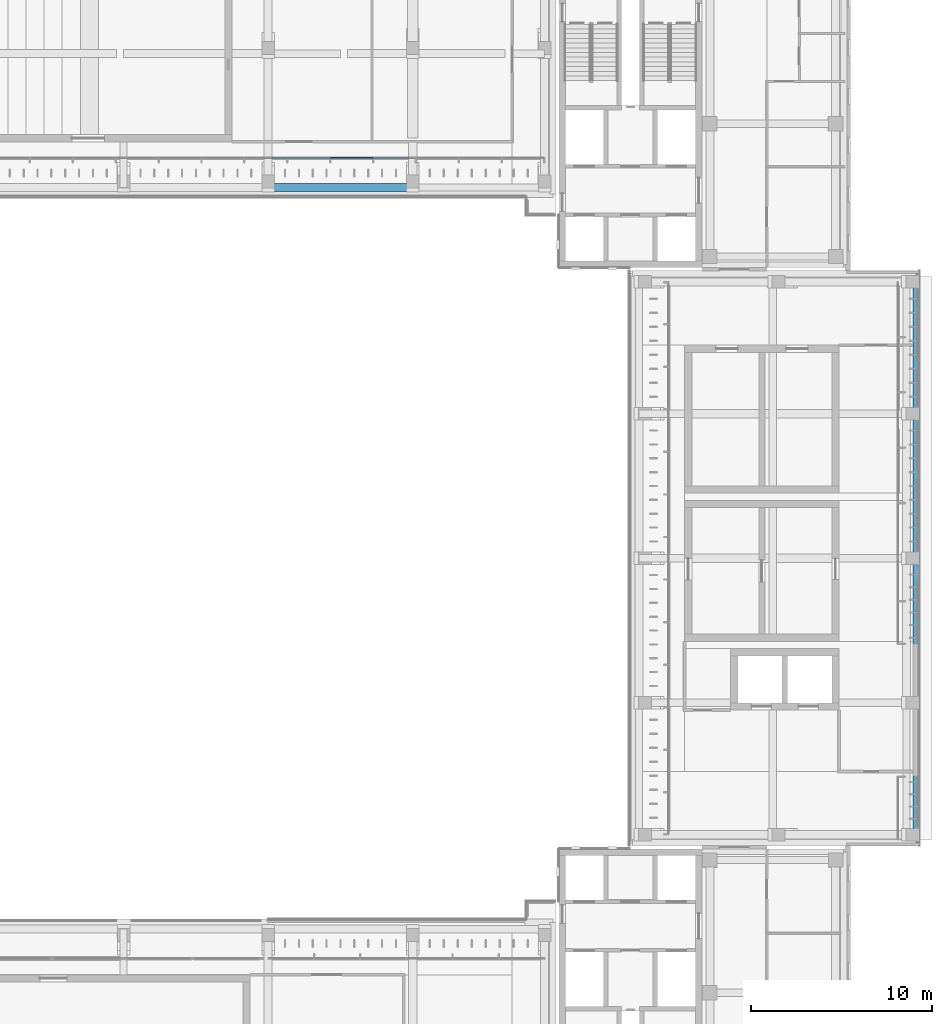
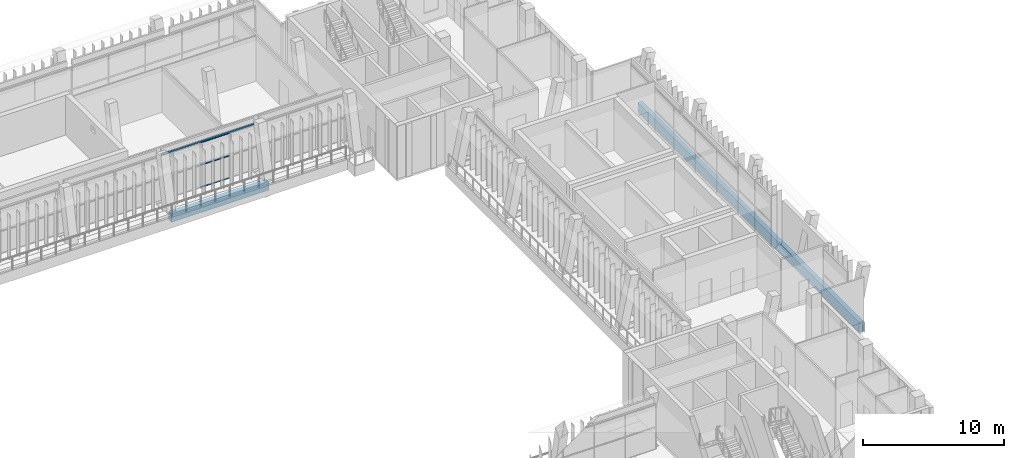
# One storey, part 33 of 74: 3 beams, 3 members, 1 element without a shape of its own.
"""IFC4 building model written with IfcOpenShell, lengths in metres."""

import ifcopenshell
import ifcopenshell.guid

model = None  # the IFC model being written
_history = None  # IfcOwnerHistory: only IFC2X3 demands one
_inside = {}  # id of a spatial element -> (the spatial element, [elements in it])
_under = {}  # id of a project, library or spatial element -> (it, [spatial elements below it])
_declared = {}  # id of a project -> (the project, [libraries it declares])
_typed = {}  # id of a type object -> (the type object, [elements of that type])
_made_of = {}  # id of a material, layer set ... -> (it, [elements and type objects made of it])


def new_model(schema):
    """Start an empty IFC model of exactly this schema.

    Asked for "IFC4X3", IfcOpenShell would pick the latest addendum, in which some entities
    have other attributes; the version numbers below select the first issue.
    IFC2X3 requires an IfcOwnerHistory on every rooted entity: one is made here for all.
    """
    global model, _history
    if schema == "IFC4X3":
        model = ifcopenshell.file(schema_version=(4, 3, 0, 0))
    else:
        model = ifcopenshell.file(schema=schema)
    _inside.clear()
    _under.clear()
    _declared.clear()
    _typed.clear()
    _made_of.clear()
    _history = None
    if model.schema == "IFC2X3":
        org = make("IfcOrganization", Name="unknown")
        user = make(
            "IfcPersonAndOrganization",
            ThePerson=make("IfcPerson", FamilyName="unknown"),
            TheOrganization=org,
        )
        app = make(
            "IfcApplication",
            ApplicationDeveloper=org,
            Version="unknown",
            ApplicationFullName="unknown",
            ApplicationIdentifier="unknown",
        )
        _history = make(
            "IfcOwnerHistory",
            OwningUser=user,
            OwningApplication=app,
            ChangeAction="ADDED",
            CreationDate=0,
        )
    return model


def make(cls, **values):
    """One entity of the class cls with the attributes given. An attribute that is None is left unset."""
    return model.create_entity(
        cls, **{name: value for name, value in values.items() if value is not None}
    )


def rooted(cls, **values):
    """An entity with a GlobalId (a new one), such as an element, a storey or a relation."""
    return make(cls, GlobalId=ifcopenshell.guid.new(), OwnerHistory=_history, **values)


def si_unit(unit_type, name, prefix=None):
    """IfcSIUnit, for example si_unit("LENGTHUNIT", "METRE", prefix="MILLI")."""
    return make("IfcSIUnit", UnitType=unit_type, Prefix=prefix, Name=name)


def assignment(units):
    """IfcUnitAssignment: the units of a project."""
    return None if units is None else make("IfcUnitAssignment", Units=units)


def point(xyz):
    """IfcCartesianPoint."""
    return None if xyz is None else make("IfcCartesianPoint", Coordinates=xyz)


def direction(xyz):
    """IfcDirection."""
    return None if xyz is None else make("IfcDirection", DirectionRatios=xyz)


def frame(location, z_axis=None, x_axis=None):
    """IfcAxis2Placement3D, a coordinate frame: its origin and axes. An axis left out is left unset."""
    return make(
        "IfcAxis2Placement3D",
        Location=point(location),
        Axis=direction(z_axis),
        RefDirection=direction(x_axis),
    )


def frame_2d(location, x_axis=None):
    """IfcAxis2Placement2D, a coordinate frame in the plane: its origin and x axis."""
    return make(
        "IfcAxis2Placement2D", Location=point(location), RefDirection=direction(x_axis)
    )


def origin():
    """The frame at (0, 0, 0) with its axes left unset."""
    return frame((0.0, 0.0, 0.0))


def origin_2d():
    """The frame at (0, 0) in the plane with its x axis left unset."""
    return frame_2d((0.0, 0.0))


def place(relative_to, where):
    """IfcLocalPlacement: puts the frame where relative to a parent placement (None: the world)."""
    return make(
        "IfcLocalPlacement", PlacementRelTo=relative_to, RelativePlacement=where
    )


def context(
    kind, dimensions, precision=None, world=None, true_north=None, identifier=None
):
    """IfcGeometricRepresentationContext, for example the 3D "Model" context."""
    return make(
        "IfcGeometricRepresentationContext",
        ContextIdentifier=identifier,
        ContextType=kind,
        CoordinateSpaceDimension=dimensions,
        Precision=precision,
        WorldCoordinateSystem=world,
        TrueNorth=true_north,
    )


def subcontext(parent, identifier, kind, view, scale=None):
    """IfcGeometricRepresentationSubContext, for example "Body" below "Model"."""
    return make(
        "IfcGeometricRepresentationSubContext",
        ContextIdentifier=identifier,
        ContextType=kind,
        ParentContext=parent,
        TargetScale=scale,
        TargetView=view,
    )


def project(units=None, contexts=None):
    """IfcProject with its units and contexts."""
    return rooted(
        "IfcProject",
        Name="project",
        RepresentationContexts=contexts,
        UnitsInContext=assignment(units),
    )


def spatial(cls, under=None, at=None, **own):
    """A site, building, storey or space (cls), placed at a placement, below another one or the project."""
    s = rooted(cls, ObjectPlacement=at, **own)
    if under is not None:
        _under.setdefault(under.id(), (under, []))[1].append(s)
    return s


def profile(cls, at=None, kind="AREA", **sizes):
    """A parametric profile (cls). Its sizes go by their IFC names, for example OverallWidth=200.0."""
    return make(cls, ProfileType=kind, Position=at, **sizes)


def rectangle(**sizes):
    """IfcRectangleProfileDef."""
    return profile("IfcRectangleProfileDef", **sizes)


def hollow_rectangle(**sizes):
    """IfcRectangleHollowProfileDef."""
    return profile("IfcRectangleHollowProfileDef", **sizes)


def extrude(swept, where, along, depth):
    """IfcExtrudedAreaSolid: the profile swept, set in the frame where, extruded along a direction by depth."""
    return make(
        "IfcExtrudedAreaSolid",
        SweptArea=swept,
        Position=where,
        ExtrudedDirection=direction(along),
        Depth=depth,
    )


def shape(context_of_items, identifier, shape_type, items):
    """IfcShapeRepresentation: the items that make up one representation, for example the "Body"."""
    return make(
        "IfcShapeRepresentation",
        ContextOfItems=context_of_items,
        RepresentationIdentifier=identifier,
        RepresentationType=shape_type,
        Items=items,
    )


def material(Name=None, Category=None):
    """IfcMaterial."""
    return make("IfcMaterial", Name=Name, Category=Category)


def material_profile(
    of_material, cross_section, Name=None, Category=None, Priority=None
):
    """IfcMaterialProfile: a cross section and its material."""
    return make(
        "IfcMaterialProfile",
        Name=Name,
        Material=of_material,
        Profile=cross_section,
        Priority=Priority,
        Category=Category,
    )


def profile_set(profiles, Name=None, composite=None):
    """IfcMaterialProfileSet."""
    return make(
        "IfcMaterialProfileSet",
        Name=Name,
        MaterialProfiles=profiles,
        CompositeProfile=composite,
    )


def made_of(thing, what):
    """Note that an element or type object is made of a material, layer set ...; save() writes the relation."""
    if what is not None:
        _made_of.setdefault(what.id(), (what, []))[1].append(thing)
    return thing


def type_object(cls, material=None, **own):
    """A type object (cls), such as IfcWallType, which elements share."""
    return made_of(rooted(cls, **own), material)


def element(
    cls,
    number,
    at=None,
    inside=None,
    cuts=None,
    type_object=None,
    material=None,
    context=None,
    identifier="Body",
    shape_type=None,
    held_by="IfcProductDefinitionShape",
    body=None,
    shapes=None,
    **own,
):
    """One element of the class cls, such as IfcWall. Its Tag is "e" and its number.

    at: its placement. inside: the storey or other place that contains it. cuts: it is an
    opening in that element (IfcRelVoidsElement). A single representation is given by context,
    identifier, shape_type and body (its items); several are given by shapes. held_by: the class
    of the entity that holds the representations. save() writes the other relations.
    """
    e = rooted(cls, Tag="e%d" % number, ObjectPlacement=at, **own)
    if body is not None:
        shapes = [shape(context, identifier, shape_type, body)]
    if shapes is not None:
        e.Representation = make(held_by, Representations=shapes)
    if inside is not None:
        _inside.setdefault(inside.id(), (inside, []))[1].append(e)
    if cuts is not None:
        rooted(
            "IfcRelVoidsElement", RelatingBuildingElement=cuts, RelatedOpeningElement=e
        )
    if type_object is not None:
        _typed.setdefault(type_object.id(), (type_object, []))[1].append(e)
    return made_of(e, material)


def aggregate(whole, parts):
    """IfcRelAggregates: a whole, such as a stair, and the parts it consists of."""
    return rooted("IfcRelAggregates", RelatingObject=whole, RelatedObjects=parts)


def save(model, path):
    """Write the relations noted so far, then the file.

    IfcRelAggregates (storeys below a building ...), IfcRelContainedInSpatialStructure (elements
    in a storey), IfcRelDefinesByType, IfcRelAssociatesMaterial and IfcRelDeclares: one each for
    every whole, place, type object, material and project.
    """
    for whole, parts in _under.values():
        aggregate(whole, parts)
    for where, things in _inside.values():
        rooted(
            "IfcRelContainedInSpatialStructure",
            RelatedElements=things,
            RelatingStructure=where,
        )
    for kind, things in _typed.values():
        rooted("IfcRelDefinesByType", RelatedObjects=things, RelatingType=kind)
    for what, things in _made_of.values():
        rooted("IfcRelAssociatesMaterial", RelatedObjects=things, RelatingMaterial=what)
    for by, libraries in _declared.values():
        rooted("IfcRelDeclares", RelatingContext=by, RelatedDefinitions=libraries)
    model.write(path)


model = new_model("IFC4")

# Units and contexts
model_context = context("Model", 3, precision=1e-05, world=origin(), true_north=direction((0.0, 1.0)))
body_context = subcontext(model_context, "Body", "Model", "MODEL_VIEW")
ifc_project = project(units=[si_unit("LENGTHUNIT", "METRE"), si_unit("AREAUNIT", "SQUARE_METRE"), si_unit("VOLUMEUNIT", "CUBIC_METRE"), si_unit("PLANEANGLEUNIT", "RADIAN"), si_unit("MASSUNIT", "GRAM", prefix="KILO")], contexts=[model_context])

# Site, building, storey
site_placement = place(None, origin())
site = spatial("IfcSite", under=ifc_project, at=site_placement, CompositionType="ELEMENT")
building_placement = place(site_placement, origin())
building = spatial("IfcBuilding", under=site, at=building_placement, Name="Lantern Court Media Centre", CompositionType="ELEMENT")
storey_placement = place(building_placement, frame((0.0, 0.0, 19.199951171875)))
storey = spatial("IfcBuildingStorey", under=building, at=storey_placement, Name="L04", CompositionType="ELEMENT", Elevation=19.199951171875)

# Curtain wall, members
ifc_material_1 = material(Name="Curtain wall bay 2400")
curtain_wall_type = type_object("IfcCurtainWallType", Name="Curtain wall bay 2400", PredefinedType="NOTDEFINED", material=ifc_material_1)
curtain_wall_placement = place(storey_placement, origin())
curtain_wall = element("IfcCurtainWall", 1, at=curtain_wall_placement, inside=storey, type_object=curtain_wall_type, Name="Curtain wall N inner L04", PredefinedType="NOTDEFINED")
ifc_material_2 = material(Name="Anodised aluminium", Category="aluminium")
ifc_material_profile_1 = material_profile(ifc_material_2, rectangle(XDim=0.10009765625, YDim=0.050048828125, at=origin_2d()), Name="AL 50x100")
ifc_profile_set_1 = profile_set([ifc_material_profile_1], Name="Anodised aluminium")
member_type = type_object("IfcMemberType", Name="Curtain wall transom 100x50", PredefinedType="USERDEFINED", material=ifc_profile_set_1)
member_1_placement = place(storey_placement, frame((67.455322265625, 102.14990234375, 0.025146484375), z_axis=(1.0, 0.0, 0.0), x_axis=(0.0, 1.0, 0.0)))
member_1 = element("IfcMember", 2, at=member_1_placement, type_object=member_type, Name="CW2 transom 19.1", ObjectType="TRANSOM", PredefinedType="USERDEFINED", context=body_context, shape_type="SweptSolid", body=[
    extrude(rectangle(XDim=0.10009765625, YDim=0.050048828125, at=origin_2d()), origin(), (0.0, 0.0, 1.0), 2.323974609375),
])
member_2_placement = place(storey_placement, frame((67.455322265625, 102.14990234375, 1.97509765625), z_axis=(1.0, 0.0, 0.0), x_axis=(0.0, 1.0, 0.0)))
member_2 = element("IfcMember", 3, at=member_2_placement, type_object=member_type, Name="CW2 transom 19.2", ObjectType="TRANSOM", PredefinedType="USERDEFINED", context=body_context, shape_type="SweptSolid", body=[
    extrude(rectangle(XDim=0.10009765625, YDim=0.050048828125, at=origin_2d()), origin(), (0.0, 0.0, 1.0), 2.323974609375),
])
member_3_placement = place(storey_placement, frame((67.455322265625, 102.14990234375, 3.925048828125), z_axis=(1.0, 0.0, 0.0), x_axis=(0.0, 1.0, 0.0)))
member_3 = element("IfcMember", 4, at=member_3_placement, type_object=member_type, Name="CW2 transom 19.3", ObjectType="TRANSOM", PredefinedType="USERDEFINED", context=body_context, shape_type="SweptSolid", body=[
    extrude(rectangle(XDim=0.10009765625, YDim=0.050048828125, at=origin_2d()), origin(), (0.0, 0.0, 1.0), 2.323974609375),
])
aggregate(curtain_wall, [member_1, member_2, member_3])

# Beams
ifc_material_3 = material(Name="Steel S355J2 (EN 10025-2)", Category="steel")
ifc_material_profile_2 = material_profile(ifc_material_3, hollow_rectangle(XDim=0.10009765625, YDim=0.14990234375, WallThickness=0.00634765625, InnerFilletRadius=0.00634765625, OuterFilletRadius=0.009521484375, at=origin_2d()), Name="Facade head lintel RHS 150x100x6.3")
ifc_profile_set_2 = profile_set([ifc_material_profile_2], Name="Steel S355J2 (EN 10025-2)")
beam_type_1 = type_object("IfcBeamType", Name="Facade head lintel RHS 150x100x6.3", PredefinedType="BEAM", material=ifc_profile_set_2)
beam_1_placement = place(storey_placement, frame((64.199951171875, 102.14990234375, 4.025146484375), z_axis=(1.0, 0.0, 0.0), x_axis=(0.0, 1.0, 0.0)))
element("IfcBeam", 5, at=beam_1_placement, inside=storey, type_object=beam_type_1, Name="Facade head lintel N L04", PredefinedType="BEAM", context=body_context, shape_type="SweptSolid", body=[
    extrude(hollow_rectangle(XDim=0.10009765625, YDim=0.14990234375, WallThickness=0.00634765625, InnerFilletRadius=0.00634765625, OuterFilletRadius=0.009521484375, at=origin_2d()), origin(), (0.0, 0.0, 1.0), 7.60009765625),
])
ifc_material_4 = material(Name="Concrete C35", Category="concrete")
ifc_material_profile_3 = material_profile(ifc_material_4, rectangle(XDim=0.35009765625, YDim=0.89990234375, at=origin_2d()), Name="RC 350x900")
ifc_profile_set_3 = profile_set([ifc_material_profile_3], Name="Concrete C35")
beam_type_2 = type_object("IfcBeamType", Name="RC BEAM 350x900", PredefinedType="BEAM", material=ifc_profile_set_3)
beam_2_placement = place(storey_placement, frame((99.85009765625, 64.25, -0.449951171875), z_axis=(0.0, 1.0, 0.0), x_axis=(-1.0, 0.0, 0.0)))
element("IfcBeam", 6, at=beam_2_placement, inside=storey, type_object=beam_type_2, Name="EB-E-L04-B", PredefinedType="BEAM", context=body_context, shape_type="SweptSolid", body=[
    extrude(rectangle(XDim=0.35009765625, YDim=0.89990234375, at=origin_2d()), origin(), (0.0, 0.0, 1.0), 31.5),
])
ifc_material_profile_4 = material_profile(ifc_material_4, rectangle(XDim=0.449951171875, YDim=0.699951171875, at=origin_2d()), Name="RC 450x700")
ifc_profile_set_4 = profile_set([ifc_material_profile_4], Name="Concrete C35")
beam_type_3 = type_object("IfcBeamType", Name="RC BEAM 450x700", PredefinedType="BEAM", material=ifc_profile_set_4)
beam_3_placement = place(storey_placement, frame((64.0, 100.527099609375, -0.349853515625), z_axis=(1.0, 0.0, 0.0), x_axis=(0.0, 1.0, 0.0)))
element("IfcBeam", 7, at=beam_3_placement, inside=storey, type_object=beam_type_3, Name="LB-N-L04-0-5", PredefinedType="BEAM", context=body_context, shape_type="SweptSolid", body=[
    extrude(rectangle(XDim=0.449951171875, YDim=0.699951171875, at=origin_2d()), origin(), (0.0, 0.0, 1.0), 8.0),
])

save(model, "model.ifc")
